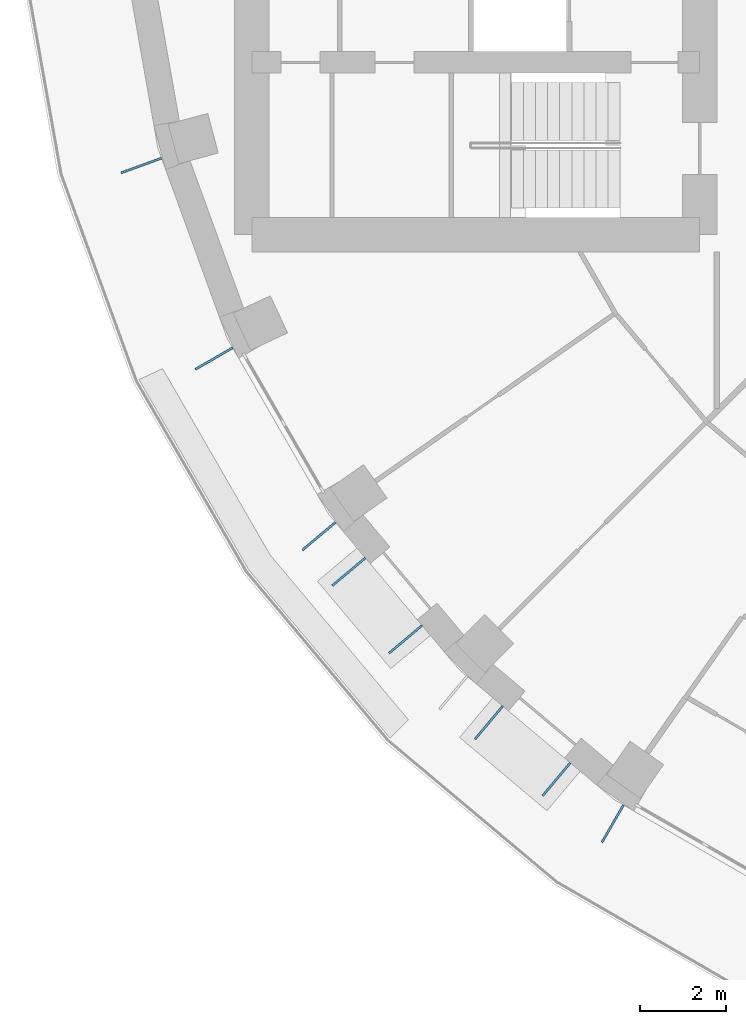
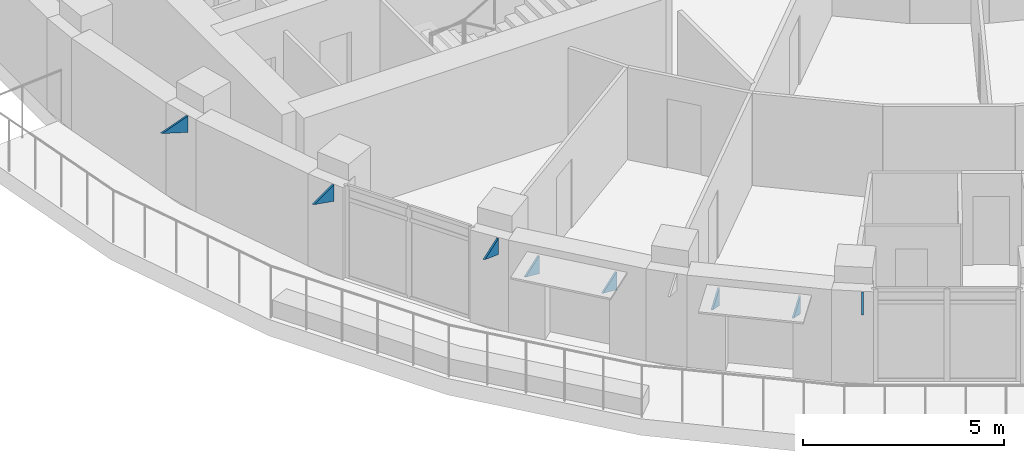
# One storey, part 15 of 16: 8 discrete accessories.
"""IFC4 building model written with IfcOpenShell, lengths in metres."""

from ifc_helpers import new_model, si_unit, direction, frame, origin, place, context, subcontext, project, spatial, polyline, outline, extrude, material, layer, layer_set, type_object, element, save


model = new_model("IFC4")

# Units and contexts
model_context = context("Model", 3, precision=1e-05, world=origin(), true_north=direction((0.0, 1.0)))
body_context = subcontext(model_context, "Body", "Model", "MODEL_VIEW")
ifc_project = project(units=[si_unit("LENGTHUNIT", "METRE"), si_unit("AREAUNIT", "SQUARE_METRE"), si_unit("VOLUMEUNIT", "CUBIC_METRE"), si_unit("PLANEANGLEUNIT", "RADIAN"), si_unit("MASSUNIT", "GRAM", prefix="KILO")], contexts=[model_context])

# Site, building, storey
site_placement = place(None, origin())
site = spatial("IfcSite", under=ifc_project, at=site_placement, CompositionType="ELEMENT")
building_placement = place(site_placement, origin())
building = spatial("IfcBuilding", under=site, at=building_placement, Name="Saqina Gate Tower", CompositionType="ELEMENT")
storey_placement = place(building_placement, frame((0.0, 0.0, 124.89990234375)))
storey = spatial("IfcBuildingStorey", under=building, at=storey_placement, Name="L35", CompositionType="ELEMENT", Elevation=124.89990234375)

# Discrete accessories
ifc_material_1 = material(Name="Galvanised steel", Category="steel")
ifc_layer_1 = layer(ifc_material_1, 0.050048828125)
ifc_layer_set_1 = layer_set([ifc_layer_1], Name="BR-AWNING")
discrete_accessory_type_1 = type_object("IfcDiscreteAccessoryType", Name="BR-AWNING", PredefinedType="BRACKET", material=ifc_layer_set_1)
discrete_accessory_1_placement = place(storey_placement, frame((-21.24658203125, -16.52392578125, 1.97509765625), z_axis=(0.64277405138, -0.766055819685, 0.0), x_axis=(0.0, 0.0, 1.0)))
element("IfcDiscreteAccessory", 1, at=discrete_accessory_1_placement, inside=storey, type_object=discrete_accessory_type_1, Name="Awning bracket L35 facet 22", PredefinedType="BRACKET", context=body_context, shape_type="SweptSolid", body=[
    extrude(outline(polyline([(0.0, 0.0), (0.550048828125, 0.0), (0.550048828125, 1.0000750096322273), (0.0, 0.0)])), origin(), (0.0, 0.0, -1.0), 0.050048828125),
])
discrete_accessory_2_placement = place(storey_placement, frame((-19.930419921875, -18.0927734375, 1.97509765625), z_axis=(0.642894271969, -0.765954930181, 0.0), x_axis=(0.0, 0.0, 1.0)))
element("IfcDiscreteAccessory", 2, at=discrete_accessory_2_placement, inside=storey, type_object=discrete_accessory_type_1, Name="Awning bracket L35 facet 22", PredefinedType="BRACKET", context=body_context, shape_type="SweptSolid", body=[
    extrude(outline(polyline([(0.0, 0.0), (0.550048828125, 0.0), (0.550048828125, 0.9998879966000863), (0.0, 0.0)])), origin(), (0.0, 0.0, -1.0), 0.050048828125),
])
for number, where, z_axis, x_axis, name in (
    (3, (-18.054443359375, -19.96240234375, 1.97509765625), (0.766055819685, -0.64277405138, 0.0), (0.0, 0.0, 1.0), "Awning bracket L35 facet 23"),
    (4, (-16.485595703125, -21.27880859375, 1.97509765625), (0.766055819685, -0.64277405138, 0.0), (0.0, 0.0, 1.0), "Awning bracket L35 facet 23"),
):
    element("IfcDiscreteAccessory", number, at=place(storey_placement, frame(where, z_axis=z_axis, x_axis=x_axis)), inside=storey, type_object=discrete_accessory_type_1, Name=name, PredefinedType="BRACKET", context=body_context, shape_type="SweptSolid", body=[
        extrude(outline(polyline([(0.0, 0.0), (0.550048828125, 0.0), (0.550048828125, 1.0000750096322273), (0.0, 0.0)])), origin(), (0.0, 0.0, -1.0), 0.050048828125),
    ])
ifc_material_2 = material(Name="Galvanised steel", Category="steel")
ifc_layer_2 = layer(ifc_material_2, 0.050048828125)
ifc_layer_set_2 = layer_set([ifc_layer_2], Name="BR-GUSSET")
discrete_accessory_type_2 = type_object("IfcDiscreteAccessoryType", Name="BR-GUSSET", PredefinedType="BRACKET", material=ifc_layer_set_2)
discrete_accessory_3_placement = place(storey_placement, frame((-25.98583984375, -7.24658203125, 2.300048828125), z_axis=(0.341821477669, -0.939764905391, 0.0), x_axis=(0.0, 0.0, 1.0)))
element("IfcDiscreteAccessory", 5, at=discrete_accessory_3_placement, inside=storey, type_object=discrete_accessory_type_2, Name="Terrace slab bracket L36 1", PredefinedType="BRACKET", context=body_context, shape_type="SweptSolid", body=[
    extrude(outline(polyline([(0.0, 0.0), (0.5, 0.0), (0.5, 0.999928024801219), (0.0, 0.0)])), origin(), (0.0, 0.0, -1.0), 0.050048828125),
])
discrete_accessory_4_placement = place(storey_placement, frame((-24.332763671875, -11.648681640625, 2.300048828125), z_axis=(0.50002537861, -0.866010750942, 0.0), x_axis=(0.0, 0.0, 1.0)))
element("IfcDiscreteAccessory", 6, at=discrete_accessory_4_placement, inside=storey, type_object=discrete_accessory_type_2, Name="Terrace slab bracket L36 2", PredefinedType="BRACKET", context=body_context, shape_type="SweptSolid", body=[
    extrude(outline(polyline([(0.0, 0.0), (0.5, 0.0), (0.5, 0.9999492453569568), (0.0, 0.0)])), origin(), (0.0, 0.0, -1.0), 0.050048828125),
])
discrete_accessory_5_placement = place(storey_placement, frame((-21.940185546875, -15.697265625, 2.300048828125), z_axis=(0.64277405138, -0.766055819685, 0.0), x_axis=(0.0, 0.0, 1.0)))
element("IfcDiscreteAccessory", 7, at=discrete_accessory_5_placement, inside=storey, type_object=discrete_accessory_type_2, Name="Terrace slab bracket L36 3", PredefinedType="BRACKET", context=body_context, shape_type="SweptSolid", body=[
    extrude(outline(polyline([(0.0, 0.0), (0.5, 0.0), (0.5, 1.0000750096322275), (0.0, 0.0)])), origin(), (0.0, 0.0, -1.0), 0.050048828125),
])
discrete_accessory_6_placement = place(storey_placement, frame((-15.248291015625, -22.254638671875, 2.300048828125), z_axis=(0.866010750942, -0.50002537861, 0.0), x_axis=(0.0, 0.0, 1.0)))
element("IfcDiscreteAccessory", 8, at=discrete_accessory_6_placement, inside=storey, type_object=discrete_accessory_type_2, Name="Terrace slab bracket L36 5", PredefinedType="BRACKET", context=body_context, shape_type="SweptSolid", body=[
    extrude(outline(polyline([(0.0, 0.0), (0.5, 0.0), (0.5, 0.9999492453569568), (0.0, 0.0)])), origin(), (0.0, 0.0, -1.0), 0.050048828125),
])

save(model, "model.ifc")
